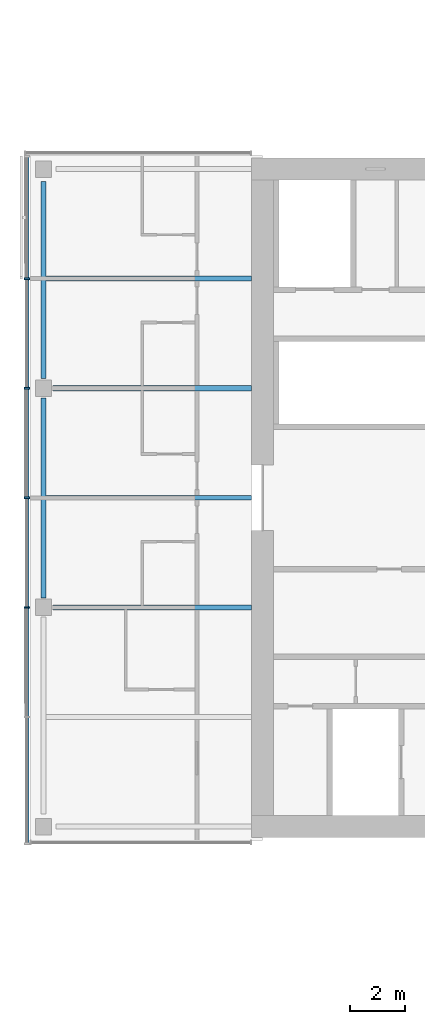
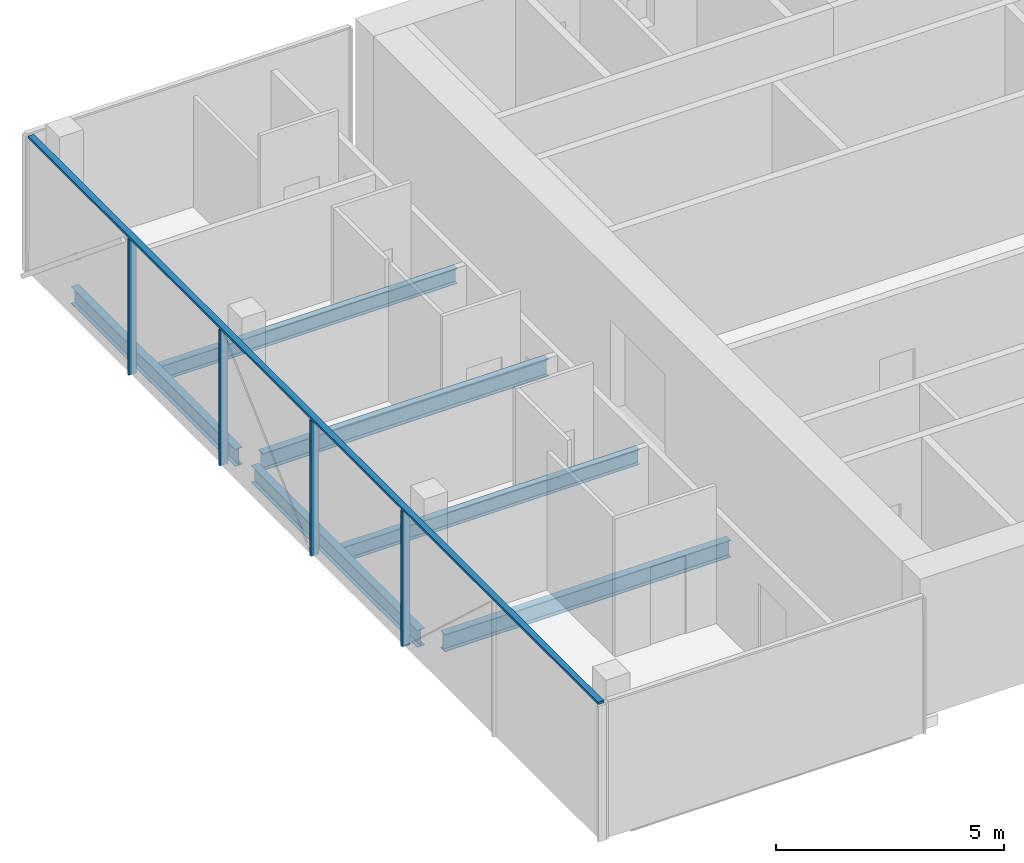
# One storey, part 5 of 25: 6 beams, 5 members, 1 element without a shape of its own.
"""IFC4 building model written with IfcOpenShell, lengths in metres."""

from ifc_helpers import new_model, si_unit, direction, frame, origin, origin_2d, place, context, subcontext, project, spatial, rectangle, i_section, extrude, material, material_profile, profile_set, type_object, element, aggregate, save


model = new_model("IFC4")

# Units and contexts
model_context = context("Model", 3, precision=1e-05, world=origin(), true_north=direction((0.0, 1.0)))
body_context = subcontext(model_context, "Body", "Model", "MODEL_VIEW")
ifc_project = project(units=[si_unit("LENGTHUNIT", "METRE"), si_unit("AREAUNIT", "SQUARE_METRE"), si_unit("VOLUMEUNIT", "CUBIC_METRE"), si_unit("PLANEANGLEUNIT", "RADIAN"), si_unit("MASSUNIT", "GRAM", prefix="KILO")], contexts=[model_context])

# Site, building, storey
site_placement = place(None, origin())
site = spatial("IfcSite", under=ifc_project, at=site_placement, CompositionType="ELEMENT")
building_placement = place(site_placement, origin())
building = spatial("IfcBuilding", under=site, at=building_placement, Name="Crosswind Convention Tower", CompositionType="ELEMENT")
storey_placement = place(building_placement, frame((0.0, 0.0, 97.89990234375)))
storey = spatial("IfcBuildingStorey", under=building, at=storey_placement, Name="L19", CompositionType="ELEMENT", Elevation=97.89990234375)

# Beams
ifc_material_1 = material(Name="Steel S355", Category="steel")
ifc_material_profile_1 = material_profile(ifc_material_1, i_section(OverallWidth=0.1904296875, OverallDepth=0.457275390625, WebThickness=0.009033203125, FlangeThickness=0.014404296875, FilletRadius=0.01025390625, at=origin_2d()), Name="UB 457x191x75")
ifc_profile_set_1 = profile_set([ifc_material_profile_1], Name="Steel S355")
beam_type_1 = type_object("IfcBeamType", Name="Edge beam UB 457x191x75", PredefinedType="SPANDREL", material=ifc_profile_set_1)
beam_1_placement = place(storey_placement, frame((89.0, 96.35009765625, -0.508544921875), z_axis=(0.0, 1.0, 0.0), x_axis=(-1.0, 0.0, 0.0)))
element("IfcBeam", 1, at=beam_1_placement, inside=storey, type_object=beam_type_1, Name="B17 L19 edge beam 2", PredefinedType="SPANDREL", context=body_context, shape_type="SweptSolid", body=[
    extrude(i_section(OverallWidth=0.1904296875, OverallDepth=0.457275390625, WebThickness=0.009033203125, FlangeThickness=0.014404296875, FilletRadius=0.01025390625, at=origin_2d()), origin(), (0.0, 0.0, 1.0), 7.2998046875),
])
beam_2_placement = place(storey_placement, frame((89.0, 104.35009765625, -0.508544921875), z_axis=(0.0, 1.0, 0.0), x_axis=(-1.0, 0.0, 0.0)))
element("IfcBeam", 2, at=beam_2_placement, inside=storey, type_object=beam_type_1, Name="B17 L19 edge beam 3", PredefinedType="SPANDREL", context=body_context, shape_type="SweptSolid", body=[
    extrude(i_section(OverallWidth=0.1904296875, OverallDepth=0.457275390625, WebThickness=0.009033203125, FlangeThickness=0.014404296875, FilletRadius=0.01025390625, at=origin_2d()), origin(), (0.0, 0.0, 1.0), 7.199951171875),
])
ifc_material_profile_2 = material_profile(ifc_material_1, i_section(OverallWidth=0.19189453125, OverallDepth=0.463623046875, WebThickness=0.010498046875, FlangeThickness=0.017578125, FilletRadius=0.01025390625, at=origin_2d()), Name="UB 457x191x90")
ifc_profile_set_2 = profile_set([ifc_material_profile_2], Name="Steel S355")
beam_type_2 = type_object("IfcBeamType", Name="Girder at core wall UB 457x191x90", PredefinedType="BEAM", material=ifc_profile_set_2)
for number, where, z_axis, x_axis, name in (
    (3, (89.35009765625, 96.0, -0.51171875), (1.0, 0.0, 0.0), (0.0, 1.0, 0.0), "B24 L19 girder at core wall 1"),
    (4, (89.35009765625, 104.0, -0.51171875), (1.0, 0.0, 0.0), (0.0, 1.0, 0.0), "B24 L19 girder at core wall 2"),
):
    element("IfcBeam", number, at=place(storey_placement, frame(where, z_axis=z_axis, x_axis=x_axis)), inside=storey, type_object=beam_type_2, Name=name, PredefinedType="BEAM", context=body_context, shape_type="SweptSolid", body=[
        extrude(i_section(OverallWidth=0.19189453125, OverallDepth=0.463623046875, WebThickness=0.010498046875, FlangeThickness=0.017578125, FilletRadius=0.01025390625, at=origin_2d()), origin(), (0.0, 0.0, 1.0), 7.25),
    ])

# Curtain wall, members
ifc_material_2 = material(Name="Aluminium unitised curtain wall", Category="aluminium")
curtain_wall_type = type_object("IfcCurtainWallType", Name="HOTEL UNITISED WALL 200", PredefinedType="USERDEFINED", material=ifc_material_2)
curtain_wall_placement = place(storey_placement, origin())
curtain_wall = element("IfcCurtainWall", 5, at=curtain_wall_placement, inside=storey, type_object=curtain_wall_type, Name="CW2 L19 W-TIP 1", ObjectType="UNITISED", PredefinedType="USERDEFINED")
ifc_material_3 = material(Name="Aluminium mullion", Category="aluminium")
ifc_material_profile_3 = material_profile(ifc_material_3, rectangle(XDim=0.199951171875, YDim=0.06494140625, at=origin_2d()), Name="AL 200X65")
ifc_profile_set_3 = profile_set([ifc_material_profile_3], Name="Aluminium mullion")
member_type_1 = type_object("IfcMemberType", Name="MULLION 65X200", PredefinedType="MULLION", material=ifc_profile_set_3)
member_1_placement = place(storey_placement, frame((88.39990234375, 108.0, -0.27978515625), z_axis=(0.0, 0.0, 1.0), x_axis=(-1.0, 0.0, 0.0)))
member_1 = element("IfcMember", 6, at=member_1_placement, type_object=member_type_1, Name="CW2 mullion 2", PredefinedType="MULLION", context=body_context, shape_type="SweptSolid", body=[
    extrude(rectangle(XDim=0.199951171875, YDim=0.06494140625, at=origin_2d()), origin(), (0.0, 0.0, 1.0), 3.634765625),
])
member_2_placement = place(storey_placement, frame((88.39990234375, 104.0, -0.27978515625), z_axis=(0.0, 0.0, 1.0), x_axis=(-1.0, 0.0, 0.0)))
member_2 = element("IfcMember", 7, at=member_2_placement, type_object=member_type_1, Name="CW2 mullion 3", PredefinedType="MULLION", context=body_context, shape_type="SweptSolid", body=[
    extrude(rectangle(XDim=0.199951171875, YDim=0.06494140625, at=origin_2d()), origin(), (0.0, 0.0, 1.0), 3.634765625),
])
member_3_placement = place(storey_placement, frame((88.39990234375, 100.0, -0.27978515625), z_axis=(0.0, 0.0, 1.0), x_axis=(-1.0, 0.0, 0.0)))
member_3 = element("IfcMember", 8, at=member_3_placement, type_object=member_type_1, Name="CW2 mullion 4", PredefinedType="MULLION", context=body_context, shape_type="SweptSolid", body=[
    extrude(rectangle(XDim=0.199951171875, YDim=0.06494140625, at=origin_2d()), origin(), (0.0, 0.0, 1.0), 3.634765625),
])
member_4_placement = place(storey_placement, frame((88.39990234375, 96.0, -0.27978515625), z_axis=(0.0, 0.0, 1.0), x_axis=(-1.0, 0.0, 0.0)))
member_4 = element("IfcMember", 9, at=member_4_placement, type_object=member_type_1, Name="CW2 mullion 5", PredefinedType="MULLION", context=body_context, shape_type="SweptSolid", body=[
    extrude(rectangle(XDim=0.199951171875, YDim=0.06494140625, at=origin_2d()), origin(), (0.0, 0.0, 1.0), 3.634765625),
])

# Beams
ifc_material_profile_4 = material_profile(ifc_material_1, i_section(OverallWidth=0.177734375, OverallDepth=0.406494140625, WebThickness=0.0078125, FlangeThickness=0.0126953125, FilletRadius=0.01025390625, at=origin_2d()), Name="UB 406x178x60")
ifc_profile_set_4 = profile_set([ifc_material_profile_4], Name="Steel S355")
beam_type_3 = type_object("IfcBeamType", Name="Secondary beam UB 406x178x60", PredefinedType="JOIST", material=ifc_profile_set_4)
for number, where, z_axis, x_axis, name in (
    (10, (89.09521484375, 100.0, -0.483154296875), (1.0, 0.0, 0.0), (0.0, 1.0, 0.0), "B10 L19 secondary beam 2"),
    (11, (89.09521484375, 108.0, -0.483154296875), (1.0, 0.0, 0.0), (0.0, 1.0, 0.0), "B10 L19 secondary beam 3"),
):
    element("IfcBeam", number, at=place(storey_placement, frame(where, z_axis=z_axis, x_axis=x_axis)), inside=storey, type_object=beam_type_3, Name=name, PredefinedType="JOIST", context=body_context, shape_type="SweptSolid", body=[
        extrude(i_section(OverallWidth=0.177734375, OverallDepth=0.406494140625, WebThickness=0.0078125, FlangeThickness=0.0126953125, FilletRadius=0.01025390625, at=origin_2d()), origin(), (0.0, 0.0, 1.0), 7.5048828125),
    ])

# Member
ifc_material_4 = material(Name="Aluminium transom", Category="aluminium")
ifc_material_profile_5 = material_profile(ifc_material_4, rectangle(XDim=0.14990234375, YDim=0.06494140625, at=origin_2d()), Name="AL 150X65")
ifc_profile_set_5 = profile_set([ifc_material_profile_5], Name="Aluminium transom")
member_type_2 = type_object("IfcMemberType", Name="TRANSOM 65X150", PredefinedType="USERDEFINED", material=ifc_profile_set_5)
member_5_placement = place(storey_placement, frame((88.39990234375, 112.43505859375, 3.3876953125), z_axis=(0.0, -1.0, 0.0), x_axis=(1.0, 0.0, 0.0)))
member_5 = element("IfcMember", 12, at=member_5_placement, type_object=member_type_2, Name="CW2 transom", ObjectType="TRANSOM", PredefinedType="USERDEFINED", context=body_context, shape_type="SweptSolid", body=[
    extrude(rectangle(XDim=0.14990234375, YDim=0.06494140625, at=origin_2d()), origin(), (0.0, 0.0, 1.0), 25.030029296875),
])

aggregate(curtain_wall, [member_1, member_2, member_3, member_4, member_5])

save(model, "model.ifc")
